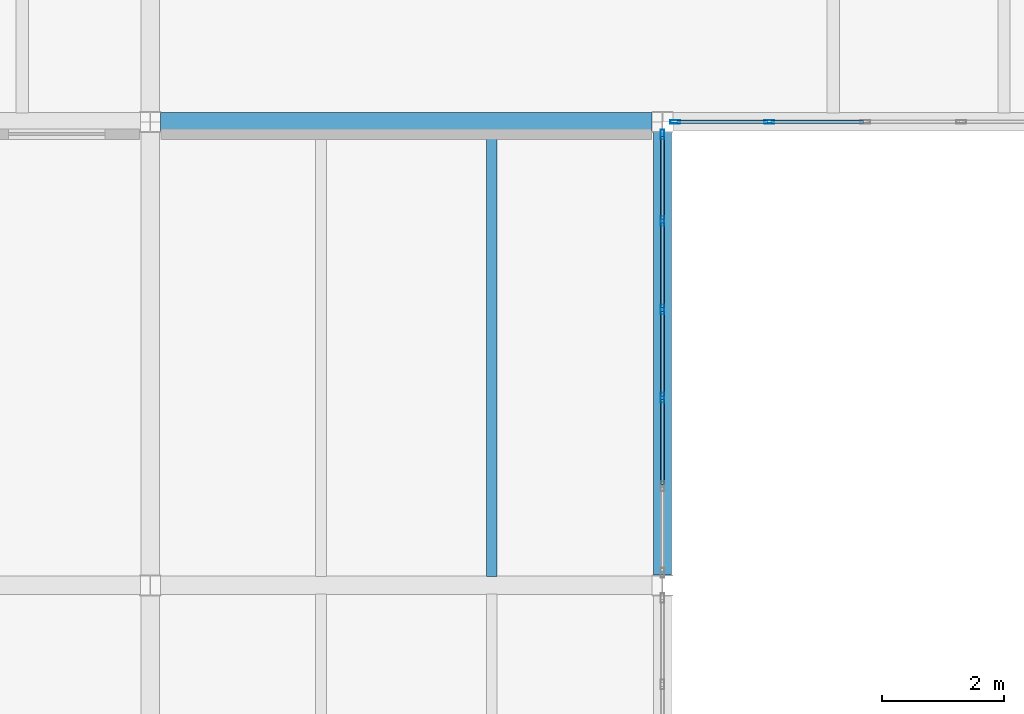
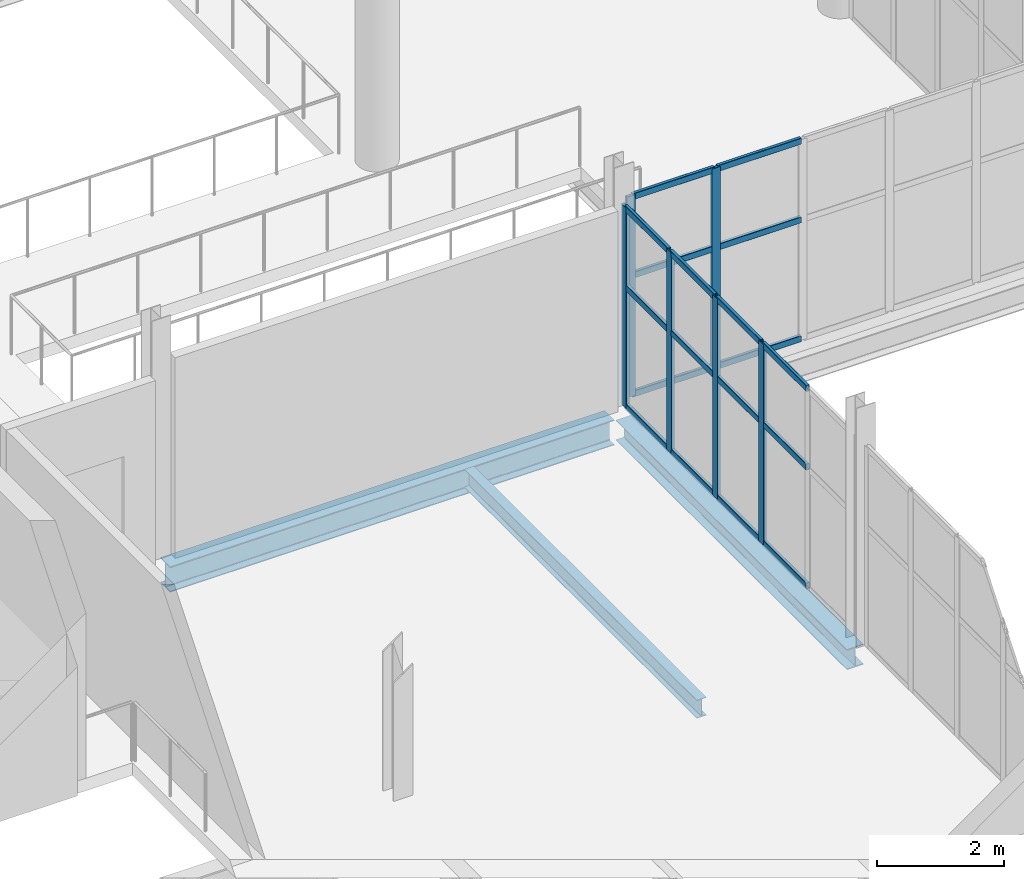
# One storey, part 29 of 136: 24 members, 3 beams, 2 elements without a shape of their own.
"""IFC4 building model written with IfcOpenShell, lengths in metres."""

from ifc_helpers import new_model, si_unit, direction, frame, origin, origin_2d, place, context, subcontext, project, spatial, hollow_rectangle, i_section, extrude, material, material_profile, profile_set, type_object, element, aggregate, save


model = new_model("IFC4")

# Units and contexts
model_context = context("Model", 3, precision=1e-05, world=origin(), true_north=direction((0.0, 1.0)))
body_context = subcontext(model_context, "Body", "Model", "MODEL_VIEW")
ifc_project = project(units=[si_unit("LENGTHUNIT", "METRE"), si_unit("AREAUNIT", "SQUARE_METRE"), si_unit("VOLUMEUNIT", "CUBIC_METRE"), si_unit("PLANEANGLEUNIT", "RADIAN"), si_unit("MASSUNIT", "GRAM", prefix="KILO")], contexts=[model_context])

# Site, building, storey
site_placement = place(None, origin())
site = spatial("IfcSite", under=ifc_project, at=site_placement, CompositionType="ELEMENT")
building_placement = place(site_placement, origin())
building = spatial("IfcBuilding", under=site, at=building_placement, Name="Shengluoqiao Park Theatre", CompositionType="ELEMENT")
storey_placement = place(building_placement, frame((0.0, 0.0, 10.0)))
storey = spatial("IfcBuildingStorey", under=building, at=storey_placement, Name="L02", CompositionType="ELEMENT", Elevation=10.0)

# Curtain wall, members
ifc_material_1 = material(Name="Aluminium 6063-T6", Category="aluminium")
curtain_wall_type_1 = type_object("IfcCurtainWallType", Name="ENV-CW-COURT", PredefinedType="NOTDEFINED", material=ifc_material_1)
curtain_wall_1_placement = place(storey_placement, origin())
curtain_wall_1 = element("IfcCurtainWall", 1, at=curtain_wall_1_placement, inside=storey, type_object=curtain_wall_type_1, Name="L02 Curtain Wall CWX-L02-0029", PredefinedType="NOTDEFINED")
ifc_material_profile_1 = material_profile(ifc_material_1, hollow_rectangle(XDim=0.06005859375, YDim=0.159912109375, WallThickness=0.00390625, InnerFilletRadius=0.00390625, OuterFilletRadius=0.008056640625, at=origin_2d()), Name="ALU MULLION 160x60x4")
ifc_profile_set_1 = profile_set([ifc_material_profile_1], Name="Aluminium 6063-T6")
member_type_1 = type_object("IfcMemberType", Name="ENV-MUL-160", PredefinedType="MULLION", material=ifc_profile_set_1)
member_1_placement = place(storey_placement, frame((36.0, 48.67529296875, 0.0), z_axis=(0.0, 0.0, 1.0), x_axis=(-1.0, 0.0, 0.0)))
member_1 = element("IfcMember", 2, at=member_1_placement, type_object=member_type_1, Name="CW-05 mullion 3", PredefinedType="MULLION", context=body_context, shape_type="SweptSolid", body=[
    extrude(hollow_rectangle(XDim=0.06005859375, YDim=0.159912109375, WallThickness=0.00390625, InnerFilletRadius=0.00390625, OuterFilletRadius=0.008056640625, at=origin_2d()), origin(), (0.0, 0.0, 1.0), 3.85009765625),
])
member_2_placement = place(storey_placement, frame((36.0, 50.124755859375, 0.0), z_axis=(0.0, 0.0, 1.0), x_axis=(-1.0, 0.0, 0.0)))
member_2 = element("IfcMember", 3, at=member_2_placement, type_object=member_type_1, Name="CW-05 mullion 4", PredefinedType="MULLION", context=body_context, shape_type="SweptSolid", body=[
    extrude(hollow_rectangle(XDim=0.06005859375, YDim=0.159912109375, WallThickness=0.00390625, InnerFilletRadius=0.00390625, OuterFilletRadius=0.008056640625, at=origin_2d()), origin(), (0.0, 0.0, 1.0), 3.85009765625),
])
member_3_placement = place(storey_placement, frame((36.0, 51.574462890625, 0.0), z_axis=(0.0, 0.0, 1.0), x_axis=(-1.0, 0.0, 0.0)))
member_3 = element("IfcMember", 4, at=member_3_placement, type_object=member_type_1, Name="CW-05 mullion 5", PredefinedType="MULLION", context=body_context, shape_type="SweptSolid", body=[
    extrude(hollow_rectangle(XDim=0.06005859375, YDim=0.159912109375, WallThickness=0.00390625, InnerFilletRadius=0.00390625, OuterFilletRadius=0.008056640625, at=origin_2d()), origin(), (0.0, 0.0, 1.0), 3.85009765625),
])
member_4_placement = place(storey_placement, frame((36.0, 52.993896484375, 0.0), z_axis=(0.0, 0.0, 1.0), x_axis=(-1.0, 0.0, 0.0)))
member_4 = element("IfcMember", 5, at=member_4_placement, type_object=member_type_1, Name="CW-05 mullion 6", PredefinedType="MULLION", context=body_context, shape_type="SweptSolid", body=[
    extrude(hollow_rectangle(XDim=0.06005859375, YDim=0.159912109375, WallThickness=0.00390625, InnerFilletRadius=0.00390625, OuterFilletRadius=0.008056640625, at=origin_2d()), origin(), (0.0, 0.0, 1.0), 3.85009765625),
])

curtain_wall_type_2 = type_object("IfcCurtainWallType", Name="ENV-CW-FOYER", PredefinedType="NOTDEFINED", material=ifc_material_1)
curtain_wall_2_placement = place(storey_placement, origin())
curtain_wall_2 = element("IfcCurtainWall", 6, at=curtain_wall_2_placement, inside=storey, type_object=curtain_wall_type_2, Name="L02 Curtain Wall CWX-L02-0214", PredefinedType="NOTDEFINED")
member_5_placement = place(storey_placement, frame((36.2080078125, 53.199951171875, 0.0), z_axis=(0.0, 0.0, 1.0), x_axis=(0.0, 1.0, 0.0)))
member_5 = element("IfcMember", 7, at=member_5_placement, type_object=member_type_1, Name="CW-01 mullion 1", PredefinedType="MULLION", context=body_context, shape_type="SweptSolid", body=[
    extrude(hollow_rectangle(XDim=0.06005859375, YDim=0.159912109375, WallThickness=0.00390625, InnerFilletRadius=0.00390625, OuterFilletRadius=0.008056640625, at=origin_2d()), origin(), (0.0, 0.0, 1.0), 3.85009765625),
])
member_6_placement = place(storey_placement, frame((37.751708984375, 53.199951171875, 0.0), z_axis=(0.0, 0.0, 1.0), x_axis=(0.0, 1.0, 0.0)))
member_6 = element("IfcMember", 8, at=member_6_placement, type_object=member_type_1, Name="CW-01 mullion 2", PredefinedType="MULLION", context=body_context, shape_type="SweptSolid", body=[
    extrude(hollow_rectangle(XDim=0.06005859375, YDim=0.159912109375, WallThickness=0.00390625, InnerFilletRadius=0.00390625, OuterFilletRadius=0.008056640625, at=origin_2d()), origin(), (0.0, 0.0, 1.0), 3.85009765625),
])

# Member
ifc_material_profile_2 = material_profile(ifc_material_1, hollow_rectangle(XDim=0.06005859375, YDim=0.1201171875, WallThickness=0.00390625, InnerFilletRadius=0.00390625, OuterFilletRadius=0.008056640625, at=origin_2d()), Name="ALU TRANSOM 120x60x4")
ifc_profile_set_2 = profile_set([ifc_material_profile_2], Name="Aluminium 6063-T6")
member_type_2 = type_object("IfcMemberType", Name="ENV-TRN-120", PredefinedType="USERDEFINED", material=ifc_profile_set_2)
member_7_placement = place(storey_placement, frame((36.0, 47.255615234375, 0.030029296875), z_axis=(0.0, 1.0, 0.0), x_axis=(-1.0, 0.0, 0.0)))
member_7 = element("IfcMember", 9, at=member_7_placement, type_object=member_type_2, Name="CW-05 transom 2.1", ObjectType="TRANSOM", PredefinedType="USERDEFINED", context=body_context, shape_type="SweptSolid", body=[
    extrude(hollow_rectangle(XDim=0.06005859375, YDim=0.1201171875, WallThickness=0.00390625, InnerFilletRadius=0.00390625, OuterFilletRadius=0.008056640625, at=origin_2d()), origin(), (0.0, 0.0, 1.0), 1.3896484375),
])

member_8_placement = place(storey_placement, frame((36.0, 47.255615234375, 2.31005859375), z_axis=(0.0, 1.0, 0.0), x_axis=(-1.0, 0.0, 0.0)))
member_8 = element("IfcMember", 10, at=member_8_placement, type_object=member_type_2, Name="CW-05 transom 2.2", ObjectType="TRANSOM", PredefinedType="USERDEFINED", context=body_context, shape_type="SweptSolid", body=[
    extrude(hollow_rectangle(XDim=0.06005859375, YDim=0.1201171875, WallThickness=0.00390625, InnerFilletRadius=0.00390625, OuterFilletRadius=0.008056640625, at=origin_2d()), origin(), (0.0, 0.0, 1.0), 1.3896484375),
])

member_9_placement = place(storey_placement, frame((36.0, 47.255615234375, 3.820068359375), z_axis=(0.0, 1.0, 0.0), x_axis=(-1.0, 0.0, 0.0)))
member_9 = element("IfcMember", 11, at=member_9_placement, type_object=member_type_2, Name="CW-05 transom 2.3", ObjectType="TRANSOM", PredefinedType="USERDEFINED", context=body_context, shape_type="SweptSolid", body=[
    extrude(hollow_rectangle(XDim=0.06005859375, YDim=0.1201171875, WallThickness=0.00390625, InnerFilletRadius=0.00390625, OuterFilletRadius=0.008056640625, at=origin_2d()), origin(), (0.0, 0.0, 1.0), 1.3896484375),
])

member_10_placement = place(storey_placement, frame((36.0, 48.705078125, 0.030029296875), z_axis=(0.0, 1.0, 0.0), x_axis=(-1.0, 0.0, 0.0)))
member_10 = element("IfcMember", 12, at=member_10_placement, type_object=member_type_2, Name="CW-05 transom 3.1", ObjectType="TRANSOM", PredefinedType="USERDEFINED", context=body_context, shape_type="SweptSolid", body=[
    extrude(hollow_rectangle(XDim=0.06005859375, YDim=0.1201171875, WallThickness=0.00390625, InnerFilletRadius=0.00390625, OuterFilletRadius=0.008056640625, at=origin_2d()), origin(), (0.0, 0.0, 1.0), 1.3896484375),
])

member_11_placement = place(storey_placement, frame((36.0, 48.705078125, 2.31005859375), z_axis=(0.0, 1.0, 0.0), x_axis=(-1.0, 0.0, 0.0)))
member_11 = element("IfcMember", 13, at=member_11_placement, type_object=member_type_2, Name="CW-05 transom 3.2", ObjectType="TRANSOM", PredefinedType="USERDEFINED", context=body_context, shape_type="SweptSolid", body=[
    extrude(hollow_rectangle(XDim=0.06005859375, YDim=0.1201171875, WallThickness=0.00390625, InnerFilletRadius=0.00390625, OuterFilletRadius=0.008056640625, at=origin_2d()), origin(), (0.0, 0.0, 1.0), 1.3896484375),
])

member_12_placement = place(storey_placement, frame((36.0, 48.705078125, 3.820068359375), z_axis=(0.0, 1.0, 0.0), x_axis=(-1.0, 0.0, 0.0)))
member_12 = element("IfcMember", 14, at=member_12_placement, type_object=member_type_2, Name="CW-05 transom 3.3", ObjectType="TRANSOM", PredefinedType="USERDEFINED", context=body_context, shape_type="SweptSolid", body=[
    extrude(hollow_rectangle(XDim=0.06005859375, YDim=0.1201171875, WallThickness=0.00390625, InnerFilletRadius=0.00390625, OuterFilletRadius=0.008056640625, at=origin_2d()), origin(), (0.0, 0.0, 1.0), 1.3896484375),
])

member_13_placement = place(storey_placement, frame((36.0, 50.15478515625, 0.030029296875), z_axis=(0.0, 1.0, 0.0), x_axis=(-1.0, 0.0, 0.0)))
member_13 = element("IfcMember", 15, at=member_13_placement, type_object=member_type_2, Name="CW-05 transom 4.1", ObjectType="TRANSOM", PredefinedType="USERDEFINED", context=body_context, shape_type="SweptSolid", body=[
    extrude(hollow_rectangle(XDim=0.06005859375, YDim=0.1201171875, WallThickness=0.00390625, InnerFilletRadius=0.00390625, OuterFilletRadius=0.008056640625, at=origin_2d()), origin(), (0.0, 0.0, 1.0), 1.3896484375),
])

member_14_placement = place(storey_placement, frame((36.0, 50.15478515625, 2.31005859375), z_axis=(0.0, 1.0, 0.0), x_axis=(-1.0, 0.0, 0.0)))
member_14 = element("IfcMember", 16, at=member_14_placement, type_object=member_type_2, Name="CW-05 transom 4.2", ObjectType="TRANSOM", PredefinedType="USERDEFINED", context=body_context, shape_type="SweptSolid", body=[
    extrude(hollow_rectangle(XDim=0.06005859375, YDim=0.1201171875, WallThickness=0.00390625, InnerFilletRadius=0.00390625, OuterFilletRadius=0.008056640625, at=origin_2d()), origin(), (0.0, 0.0, 1.0), 1.3896484375),
])

member_15_placement = place(storey_placement, frame((36.0, 50.15478515625, 3.820068359375), z_axis=(0.0, 1.0, 0.0), x_axis=(-1.0, 0.0, 0.0)))
member_15 = element("IfcMember", 17, at=member_15_placement, type_object=member_type_2, Name="CW-05 transom 4.3", ObjectType="TRANSOM", PredefinedType="USERDEFINED", context=body_context, shape_type="SweptSolid", body=[
    extrude(hollow_rectangle(XDim=0.06005859375, YDim=0.1201171875, WallThickness=0.00390625, InnerFilletRadius=0.00390625, OuterFilletRadius=0.008056640625, at=origin_2d()), origin(), (0.0, 0.0, 1.0), 1.3896484375),
])

member_16_placement = place(storey_placement, frame((36.0, 51.6044921875, 0.030029296875), z_axis=(0.0, 1.0, 0.0), x_axis=(-1.0, 0.0, 0.0)))
member_16 = element("IfcMember", 18, at=member_16_placement, type_object=member_type_2, Name="CW-05 transom 5.1", ObjectType="TRANSOM", PredefinedType="USERDEFINED", context=body_context, shape_type="SweptSolid", body=[
    extrude(hollow_rectangle(XDim=0.06005859375, YDim=0.1201171875, WallThickness=0.00390625, InnerFilletRadius=0.00390625, OuterFilletRadius=0.008056640625, at=origin_2d()), origin(), (0.0, 0.0, 1.0), 1.359619140625),
])

member_17_placement = place(storey_placement, frame((36.0, 51.6044921875, 2.31005859375), z_axis=(0.0, 1.0, 0.0), x_axis=(-1.0, 0.0, 0.0)))
member_17 = element("IfcMember", 19, at=member_17_placement, type_object=member_type_2, Name="CW-05 transom 5.2", ObjectType="TRANSOM", PredefinedType="USERDEFINED", context=body_context, shape_type="SweptSolid", body=[
    extrude(hollow_rectangle(XDim=0.06005859375, YDim=0.1201171875, WallThickness=0.00390625, InnerFilletRadius=0.00390625, OuterFilletRadius=0.008056640625, at=origin_2d()), origin(), (0.0, 0.0, 1.0), 1.359619140625),
])

member_18_placement = place(storey_placement, frame((36.0, 51.6044921875, 3.820068359375), z_axis=(0.0, 1.0, 0.0), x_axis=(-1.0, 0.0, 0.0)))
member_18 = element("IfcMember", 20, at=member_18_placement, type_object=member_type_2, Name="CW-05 transom 5.3", ObjectType="TRANSOM", PredefinedType="USERDEFINED", context=body_context, shape_type="SweptSolid", body=[
    extrude(hollow_rectangle(XDim=0.06005859375, YDim=0.1201171875, WallThickness=0.00390625, InnerFilletRadius=0.00390625, OuterFilletRadius=0.008056640625, at=origin_2d()), origin(), (0.0, 0.0, 1.0), 1.359619140625),
])

aggregate(curtain_wall_1, [member_1, member_2, member_3, member_4, member_7, member_8, member_9, member_10, member_11, member_12, member_13, member_14, member_15, member_16, member_17, member_18])

member_19_placement = place(storey_placement, frame((36.238037109375, 53.199951171875, 0.030029296875), z_axis=(1.0, 0.0, 0.0), x_axis=(0.0, 1.0, 0.0)))
member_19 = element("IfcMember", 21, at=member_19_placement, type_object=member_type_2, Name="CW-01 transom 1.1", ObjectType="TRANSOM", PredefinedType="USERDEFINED", context=body_context, shape_type="SweptSolid", body=[
    extrude(hollow_rectangle(XDim=0.06005859375, YDim=0.1201171875, WallThickness=0.00390625, InnerFilletRadius=0.00390625, OuterFilletRadius=0.008056640625, at=origin_2d()), origin(), (0.0, 0.0, 1.0), 1.483642578125),
])

member_20_placement = place(storey_placement, frame((36.238037109375, 53.199951171875, 2.31005859375), z_axis=(1.0, 0.0, 0.0), x_axis=(0.0, 1.0, 0.0)))
member_20 = element("IfcMember", 22, at=member_20_placement, type_object=member_type_2, Name="CW-01 transom 1.2", ObjectType="TRANSOM", PredefinedType="USERDEFINED", context=body_context, shape_type="SweptSolid", body=[
    extrude(hollow_rectangle(XDim=0.06005859375, YDim=0.1201171875, WallThickness=0.00390625, InnerFilletRadius=0.00390625, OuterFilletRadius=0.008056640625, at=origin_2d()), origin(), (0.0, 0.0, 1.0), 1.483642578125),
])

member_21_placement = place(storey_placement, frame((36.238037109375, 53.199951171875, 3.820068359375), z_axis=(1.0, 0.0, 0.0), x_axis=(0.0, 1.0, 0.0)))
member_21 = element("IfcMember", 23, at=member_21_placement, type_object=member_type_2, Name="CW-01 transom 1.3", ObjectType="TRANSOM", PredefinedType="USERDEFINED", context=body_context, shape_type="SweptSolid", body=[
    extrude(hollow_rectangle(XDim=0.06005859375, YDim=0.1201171875, WallThickness=0.00390625, InnerFilletRadius=0.00390625, OuterFilletRadius=0.008056640625, at=origin_2d()), origin(), (0.0, 0.0, 1.0), 1.483642578125),
])

member_22_placement = place(storey_placement, frame((37.781494140625, 53.199951171875, 0.030029296875), z_axis=(1.0, 0.0, 0.0), x_axis=(0.0, 1.0, 0.0)))
member_22 = element("IfcMember", 24, at=member_22_placement, type_object=member_type_2, Name="CW-01 transom 2.1", ObjectType="TRANSOM", PredefinedType="USERDEFINED", context=body_context, shape_type="SweptSolid", body=[
    extrude(hollow_rectangle(XDim=0.06005859375, YDim=0.1201171875, WallThickness=0.00390625, InnerFilletRadius=0.00390625, OuterFilletRadius=0.008056640625, at=origin_2d()), origin(), (0.0, 0.0, 1.0), 1.513671875),
])

member_23_placement = place(storey_placement, frame((37.781494140625, 53.199951171875, 2.31005859375), z_axis=(1.0, 0.0, 0.0), x_axis=(0.0, 1.0, 0.0)))
member_23 = element("IfcMember", 25, at=member_23_placement, type_object=member_type_2, Name="CW-01 transom 2.2", ObjectType="TRANSOM", PredefinedType="USERDEFINED", context=body_context, shape_type="SweptSolid", body=[
    extrude(hollow_rectangle(XDim=0.06005859375, YDim=0.1201171875, WallThickness=0.00390625, InnerFilletRadius=0.00390625, OuterFilletRadius=0.008056640625, at=origin_2d()), origin(), (0.0, 0.0, 1.0), 1.513671875),
])

member_24_placement = place(storey_placement, frame((37.781494140625, 53.199951171875, 3.820068359375), z_axis=(1.0, 0.0, 0.0), x_axis=(0.0, 1.0, 0.0)))
member_24 = element("IfcMember", 26, at=member_24_placement, type_object=member_type_2, Name="CW-01 transom 2.3", ObjectType="TRANSOM", PredefinedType="USERDEFINED", context=body_context, shape_type="SweptSolid", body=[
    extrude(hollow_rectangle(XDim=0.06005859375, YDim=0.1201171875, WallThickness=0.00390625, InnerFilletRadius=0.00390625, OuterFilletRadius=0.008056640625, at=origin_2d()), origin(), (0.0, 0.0, 1.0), 1.513671875),
])

aggregate(curtain_wall_2, [member_5, member_6, member_19, member_20, member_21, member_22, member_23, member_24])

# Beams
ifc_material_2 = material(Name="Steel Q355", Category="steel")
ifc_material_profile_3 = material_profile(ifc_material_2, i_section(OverallWidth=0.300048828125, OverallDepth=0.389892578125, WebThickness=0.010009765625, FlangeThickness=0.01611328125, FilletRadius=0.01806640625, at=origin_2d()), Name="HM 390x300x10x16")
ifc_profile_set_3 = profile_set([ifc_material_profile_3], Name="Steel Q355")
beam_type_1 = type_object("IfcBeamType", Name="STR-BM-G-HM390", PredefinedType="BEAM", material=ifc_profile_set_3)
beam_1_placement = place(storey_placement, frame((36.0, 45.76904296875, -0.43505859375), z_axis=(0.0, 1.0, 0.0), x_axis=(-1.0, 0.0, 0.0)))
element("IfcBeam", 27, at=beam_1_placement, inside=storey, type_object=beam_type_1, Name="L02 Transverse Girder 00885", PredefinedType="BEAM", context=body_context, shape_type="SweptSolid", body=[
    extrude(i_section(OverallWidth=0.300048828125, OverallDepth=0.389892578125, WebThickness=0.010009765625, FlangeThickness=0.01611328125, FilletRadius=0.01806640625, at=origin_2d()), origin(), (0.0, 0.0, 1.0), 7.261962890625),
])
ifc_material_profile_4 = material_profile(ifc_material_2, i_section(OverallWidth=0.300048828125, OverallDepth=0.488037109375, WebThickness=0.010986328125, FlangeThickness=0.01806640625, FilletRadius=0.02197265625, at=origin_2d()), Name="HM 488x300x11x18")
ifc_profile_set_4 = profile_set([ifc_material_profile_4], Name="Steel Q355")
beam_type_2 = type_object("IfcBeamType", Name="STR-BM-G-HM488", PredefinedType="BEAM", material=ifc_profile_set_4)
beam_2_placement = place(storey_placement, frame((27.76904296875, 53.199951171875, -0.48388671875), z_axis=(1.0, 0.0, 0.0), x_axis=(0.0, 1.0, 0.0)))
element("IfcBeam", 28, at=beam_2_placement, inside=storey, type_object=beam_type_2, Name="L02 Primary Girder 00879", PredefinedType="BEAM", context=body_context, shape_type="SweptSolid", body=[
    extrude(i_section(OverallWidth=0.300048828125, OverallDepth=0.488037109375, WebThickness=0.010986328125, FlangeThickness=0.01806640625, FilletRadius=0.02197265625, at=origin_2d()), origin(), (0.0, 0.0, 1.0), 8.06201171875),
])
ifc_material_profile_5 = material_profile(ifc_material_2, i_section(OverallWidth=0.175048828125, OverallDepth=0.35009765625, WebThickness=0.007080078125, FlangeThickness=0.010986328125, FilletRadius=0.013916015625, at=origin_2d()), Name="HN 350x175x7x11")
ifc_profile_set_5 = profile_set([ifc_material_profile_5], Name="Steel Q355")
beam_type_3 = type_object("IfcBeamType", Name="STR-BM-J-HN350", PredefinedType="JOIST", material=ifc_profile_set_5)
beam_3_placement = place(storey_placement, frame((33.199951171875, 45.7451171875, -0.4150390625), z_axis=(0.0, 1.0, 0.0), x_axis=(-1.0, 0.0, 0.0)))
element("IfcBeam", 29, at=beam_3_placement, inside=storey, type_object=beam_type_3, Name="L02 Composite Joist 00891", PredefinedType="JOIST", context=body_context, shape_type="SweptSolid", body=[
    extrude(i_section(OverallWidth=0.175048828125, OverallDepth=0.35009765625, WebThickness=0.007080078125, FlangeThickness=0.010986328125, FilletRadius=0.013916015625, at=origin_2d()), origin(), (0.0, 0.0, 1.0), 7.309814453125),
])

save(model, "model.ifc")
